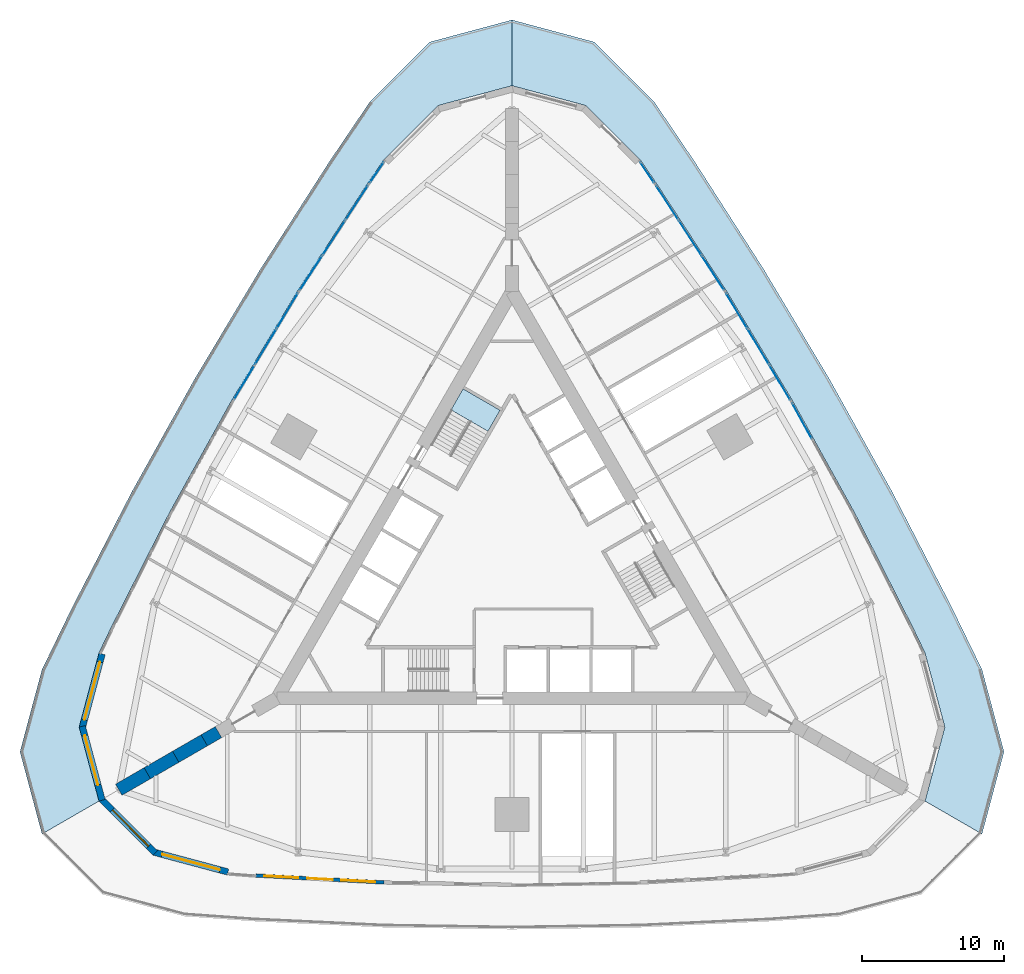
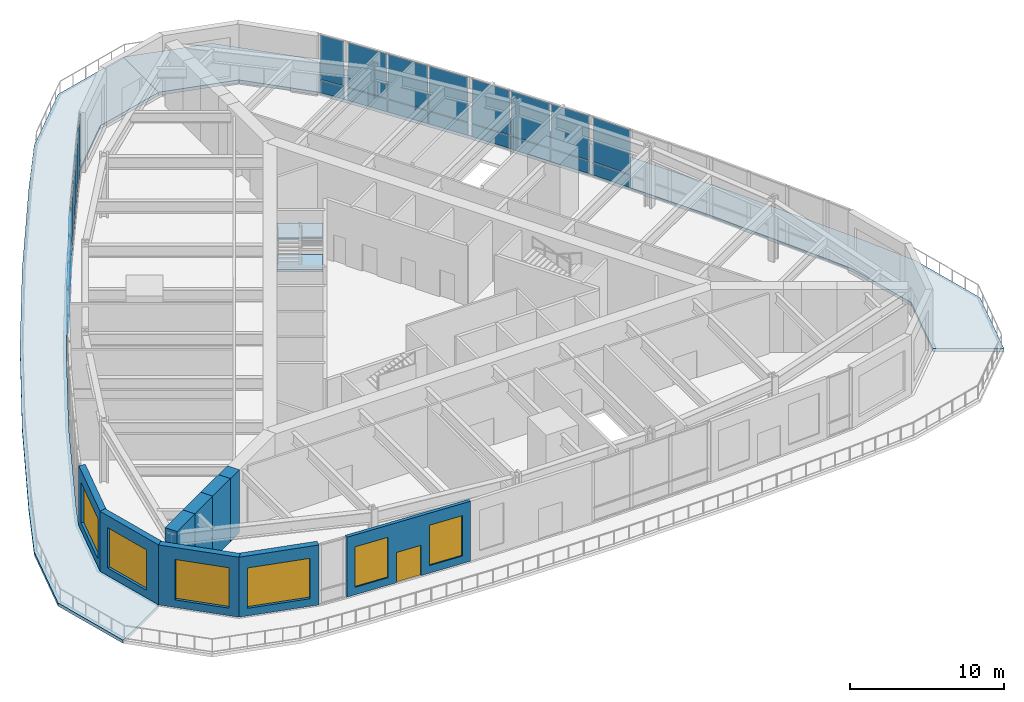
# One storey, part 7 of 13: 29 plates, 9 walls, 6 windows, 4 slabs, 1 door, 7 openings, 8 elements without a shape of their own.
"""IFC4 building model written with IfcOpenShell, lengths in metres."""

from ifc_helpers import new_model, si_unit, direction, frame, frame_2d, origin, origin_2d, place, context, subcontext, project, spatial, polyline, rectangle, outline, extrude, material, layer, layer_set, type_object, element, fill, aggregate, save


model = new_model("IFC4")

# Units and contexts
model_context = context("Model", 3, precision=1e-05, world=origin(), true_north=direction((0.0, 1.0)))
body_context = subcontext(model_context, "Body", "Model", "MODEL_VIEW")
ifc_project = project(units=[si_unit("LENGTHUNIT", "METRE"), si_unit("AREAUNIT", "SQUARE_METRE"), si_unit("VOLUMEUNIT", "CUBIC_METRE"), si_unit("PLANEANGLEUNIT", "RADIAN"), si_unit("MASSUNIT", "GRAM", prefix="KILO")], contexts=[model_context])

# Site, building, storey
site_placement = place(None, origin())
site = spatial("IfcSite", under=ifc_project, at=site_placement, CompositionType="ELEMENT")
building_placement = place(site_placement, origin())
building = spatial("IfcBuilding", under=site, at=building_placement, Name="Trikona Tower", CompositionType="ELEMENT")
storey_placement = place(building_placement, frame((0.0, 0.0, 17.5)))
storey = spatial("IfcBuildingStorey", under=building, at=storey_placement, Name="L03", CompositionType="ELEMENT", Elevation=17.5)

# Curtain wall, plates
ifc_material_1 = material(Name="Aluminium curtain wall system", Category="aluminium")
curtain_wall_type = type_object("IfcCurtainWallType", Name="Curtain wall PD", PredefinedType="NOTDEFINED", material=ifc_material_1)
curtain_wall_1_placement = place(storey_placement, origin())
curtain_wall_1 = element("IfcCurtainWall", 1, at=curtain_wall_1_placement, inside=storey, type_object=curtain_wall_type, Name="Curtain wall PD L03", PredefinedType="NOTDEFINED")
ifc_material_2 = material(Name="Clear insulating glass unit", Category="glass")
ifc_layer_1 = layer(ifc_material_2, 0.028076171875)
ifc_layer_set_1 = layer_set([ifc_layer_1], Name="Glass panel PD")
plate_type = type_object("IfcPlateType", Name="Glass panel PD", PredefinedType="CURTAIN_PANEL", material=ifc_layer_set_1)
plate_1_placement = place(storey_placement, frame((20.3623046875, 9.9541015625, 0.08984375), z_axis=(0.0, 0.0, 1.0), x_axis=(-0.484331734497, 0.874884432916, 0.0)))
plate_1 = element("IfcPlate", 2, at=plate_1_placement, type_object=plate_type, Name="CW-PD panel 3.1", PredefinedType="CURTAIN_PANEL", context=body_context, shape_type="SweptSolid", body=[
    extrude(rectangle(XDim=2.825439453125, YDim=0.028076171875, at=origin_2d()), origin(), (0.0, 0.0, 1.0), 0.965087890625),
])
plate_2_placement = place(storey_placement, frame((20.3623046875, 9.9541015625, 1.14501953125), z_axis=(0.0, 0.0, 1.0), x_axis=(-0.484331734497, 0.874884432916, 0.0)))
plate_2 = element("IfcPlate", 3, at=plate_2_placement, type_object=plate_type, Name="CW-PD panel 3.2", PredefinedType="CURTAIN_PANEL", context=body_context, shape_type="SweptSolid", body=[
    extrude(rectangle(XDim=2.825439453125, YDim=0.028076171875, at=origin_2d()), origin(), (0.0, 0.0, 1.0), 3.514892578125),
])
aggregate(curtain_wall_1, [plate_1, plate_2])

curtain_wall_2_placement = place(storey_placement, origin())
curtain_wall_2 = element("IfcCurtainWall", 4, at=curtain_wall_2_placement, inside=storey, type_object=curtain_wall_type, Name="Curtain wall PD L03", PredefinedType="NOTDEFINED")
plate_3_placement = place(storey_placement, frame((18.801513671875, 12.6572265625, 0.08984375), z_axis=(0.0, 0.0, 1.0), x_axis=(-0.51551536802, 0.856880333147, 0.0)))
plate_3 = element("IfcPlate", 5, at=plate_3_placement, type_object=plate_type, Name="CW-PD panel 1.1", PredefinedType="CURTAIN_PANEL", context=body_context, shape_type="SweptSolid", body=[
    extrude(rectangle(XDim=2.825439453125, YDim=0.028076171875, at=origin_2d()), origin(), (0.0, 0.0, 1.0), 0.965087890625),
])
plate_4_placement = place(storey_placement, frame((18.801513671875, 12.6572265625, 1.14501953125), z_axis=(0.0, 0.0, 1.0), x_axis=(-0.51551536802, 0.856880333147, 0.0)))
plate_4 = element("IfcPlate", 6, at=plate_4_placement, type_object=plate_type, Name="CW-PD panel 1.2", PredefinedType="CURTAIN_PANEL", context=body_context, shape_type="SweptSolid", body=[
    extrude(rectangle(XDim=2.825439453125, YDim=0.028076171875, at=origin_2d()), origin(), (0.0, 0.0, 1.0), 3.514892578125),
])
plate_5_placement = place(storey_placement, frame((17.286865234375, 15.1748046875, 0.08984375), z_axis=(0.0, 0.0, 1.0), x_axis=(-0.51551536802, 0.856880333147, 0.0)))
plate_5 = element("IfcPlate", 7, at=plate_5_placement, type_object=plate_type, Name="CW-PD panel 2.1", PredefinedType="CURTAIN_PANEL", context=body_context, shape_type="SweptSolid", body=[
    extrude(rectangle(XDim=2.870361328125, YDim=0.028076171875, at=origin_2d()), origin(), (0.0, 0.0, 1.0), 0.965087890625),
])
plate_6_placement = place(storey_placement, frame((17.286865234375, 15.1748046875, 1.14501953125), z_axis=(0.0, 0.0, 1.0), x_axis=(-0.51551536802, 0.856880333147, 0.0)))
plate_6 = element("IfcPlate", 8, at=plate_6_placement, type_object=plate_type, Name="CW-PD panel 2.2", PredefinedType="CURTAIN_PANEL", context=body_context, shape_type="SweptSolid", body=[
    extrude(rectangle(XDim=2.870361328125, YDim=0.028076171875, at=origin_2d()), origin(), (0.0, 0.0, 1.0), 3.514892578125),
])
plate_7_placement = place(storey_placement, frame((15.7724609375, 17.692138671875, 0.08984375), z_axis=(0.0, 0.0, 1.0), x_axis=(-0.51551536802, 0.856880333147, 0.0)))
plate_7 = element("IfcPlate", 9, at=plate_7_placement, type_object=plate_type, Name="CW-PD panel 3.1", PredefinedType="CURTAIN_PANEL", context=body_context, shape_type="SweptSolid", body=[
    extrude(rectangle(XDim=2.825439453125, YDim=0.028076171875, at=origin_2d()), origin(), (0.0, 0.0, 1.0), 0.965087890625),
])
plate_8_placement = place(storey_placement, frame((15.7724609375, 17.692138671875, 1.14501953125), z_axis=(0.0, 0.0, 1.0), x_axis=(-0.51551536802, 0.856880333147, 0.0)))
plate_8 = element("IfcPlate", 10, at=plate_8_placement, type_object=plate_type, Name="CW-PD panel 3.2", PredefinedType="CURTAIN_PANEL", context=body_context, shape_type="SweptSolid", body=[
    extrude(rectangle(XDim=2.825439453125, YDim=0.028076171875, at=origin_2d()), origin(), (0.0, 0.0, 1.0), 3.514892578125),
])
aggregate(curtain_wall_2, [plate_3, plate_4, plate_5, plate_6, plate_7, plate_8])

curtain_wall_3_placement = place(storey_placement, origin())
curtain_wall_3 = element("IfcCurtainWall", 11, at=curtain_wall_3_placement, inside=storey, type_object=curtain_wall_type, Name="Curtain wall PD L03", PredefinedType="NOTDEFINED")
plate_9_placement = place(storey_placement, frame((14.114501953125, 20.339111328125, 0.08984375), z_axis=(0.0, 0.0, 1.0), x_axis=(-0.545976875831, 0.83780024532, 0.0)))
plate_9 = element("IfcPlate", 12, at=plate_9_placement, type_object=plate_type, Name="CW-PD panel 1.1", PredefinedType="CURTAIN_PANEL", context=body_context, shape_type="SweptSolid", body=[
    extrude(rectangle(XDim=2.829345703125, YDim=0.028076171875, at=origin_2d()), origin(), (0.0, 0.0, 1.0), 0.965087890625),
])
plate_10_placement = place(storey_placement, frame((14.114501953125, 20.339111328125, 1.14501953125), z_axis=(0.0, 0.0, 1.0), x_axis=(-0.545976875831, 0.83780024532, 0.0)))
plate_10 = element("IfcPlate", 13, at=plate_10_placement, type_object=plate_type, Name="CW-PD panel 1.2", PredefinedType="CURTAIN_PANEL", context=body_context, shape_type="SweptSolid", body=[
    extrude(rectangle(XDim=2.829345703125, YDim=0.028076171875, at=origin_2d()), origin(), (0.0, 0.0, 1.0), 3.514892578125),
])
plate_11_placement = place(storey_placement, frame((12.50830078125, 22.803955078125, 0.08984375), z_axis=(0.0, 0.0, 1.0), x_axis=(-0.545976875831, 0.83780024532, 0.0)))
plate_11 = element("IfcPlate", 14, at=plate_11_placement, type_object=plate_type, Name="CW-PD panel 2.1", PredefinedType="CURTAIN_PANEL", context=body_context, shape_type="SweptSolid", body=[
    extrude(rectangle(XDim=2.874267578125, YDim=0.028076171875, at=origin_2d()), origin(), (0.0, 0.0, 1.0), 0.965087890625),
])
plate_12_placement = place(storey_placement, frame((12.50830078125, 22.803955078125, 1.14501953125), z_axis=(0.0, 0.0, 1.0), x_axis=(-0.545976875831, 0.83780024532, 0.0)))
plate_12 = element("IfcPlate", 15, at=plate_12_placement, type_object=plate_type, Name="CW-PD panel 2.2", PredefinedType="CURTAIN_PANEL", context=body_context, shape_type="SweptSolid", body=[
    extrude(rectangle(XDim=2.874267578125, YDim=0.028076171875, at=origin_2d()), origin(), (0.0, 0.0, 1.0), 3.514892578125),
])
plate_13_placement = place(storey_placement, frame((10.902099609375, 25.2685546875, 0.08984375), z_axis=(0.0, 0.0, 1.0), x_axis=(-0.545976875831, 0.83780024532, 0.0)))
plate_13 = element("IfcPlate", 16, at=plate_13_placement, type_object=plate_type, Name="CW-PD panel 3.1", PredefinedType="CURTAIN_PANEL", context=body_context, shape_type="SweptSolid", body=[
    extrude(rectangle(XDim=2.829345703125, YDim=0.028076171875, at=origin_2d()), origin(), (0.0, 0.0, 1.0), 0.965087890625),
])
plate_14_placement = place(storey_placement, frame((10.902099609375, 25.2685546875, 1.14501953125), z_axis=(0.0, 0.0, 1.0), x_axis=(-0.545976875831, 0.83780024532, 0.0)))
plate_14 = element("IfcPlate", 17, at=plate_14_placement, type_object=plate_type, Name="CW-PD panel 3.2", PredefinedType="CURTAIN_PANEL", context=body_context, shape_type="SweptSolid", body=[
    extrude(rectangle(XDim=2.829345703125, YDim=0.028076171875, at=origin_2d()), origin(), (0.0, 0.0, 1.0), 3.514892578125),
])
aggregate(curtain_wall_3, [plate_9, plate_10, plate_11, plate_12, plate_13, plate_14])

curtain_wall_4_placement = place(storey_placement, origin())
curtain_wall_4 = element("IfcCurtainWall", 18, at=curtain_wall_4_placement, inside=storey, type_object=curtain_wall_type, Name="Curtain wall PD L03", PredefinedType="NOTDEFINED")
plate_15_placement = place(storey_placement, frame((9.483154296875, 27.40576171875, 0.08984375), z_axis=(0.0, 0.0, 1.0), x_axis=(-0.564172430341, 0.825656992245, 0.0)))
plate_15 = element("IfcPlate", 19, at=plate_15_placement, type_object=plate_type, Name="CW-PD panel 1.1", PredefinedType="CURTAIN_PANEL", context=body_context, shape_type="SweptSolid", body=[
    extrude(rectangle(XDim=1.705810546875, YDim=0.028076171875, at=origin_2d()), origin(), (0.0, 0.0, 1.0), 0.965087890625),
])
plate_16_placement = place(storey_placement, frame((9.483154296875, 27.40576171875, 1.14501953125), z_axis=(0.0, 0.0, 1.0), x_axis=(-0.564172430341, 0.825656992245, 0.0)))
plate_16 = element("IfcPlate", 20, at=plate_16_placement, type_object=plate_type, Name="CW-PD panel 1.2", PredefinedType="CURTAIN_PANEL", context=body_context, shape_type="SweptSolid", body=[
    extrude(rectangle(XDim=1.705810546875, YDim=0.028076171875, at=origin_2d()), origin(), (0.0, 0.0, 1.0), 3.514892578125),
])
aggregate(curtain_wall_4, [plate_15, plate_16])

curtain_wall_5_placement = place(storey_placement, origin())
curtain_wall_5 = element("IfcCurtainWall", 21, at=curtain_wall_5_placement, inside=storey, type_object=curtain_wall_type, Name="Curtain wall PD L03", PredefinedType="NOTDEFINED")
plate_17_placement = place(storey_placement, frame((-9.483154296875, 27.40576171875, 0.08984375), z_axis=(0.0, 0.0, 1.0), x_axis=(-0.564172430341, -0.825656992245, 0.0)))
plate_17 = element("IfcPlate", 22, at=plate_17_placement, type_object=plate_type, Name="CW-PD panel 1.1", PredefinedType="CURTAIN_PANEL", context=body_context, shape_type="SweptSolid", body=[
    extrude(rectangle(XDim=1.705810546875, YDim=0.028076171875, at=origin_2d()), origin(), (0.0, 0.0, 1.0), 0.965087890625),
])
plate_18_placement = place(storey_placement, frame((-9.483154296875, 27.40576171875, 1.14501953125), z_axis=(0.0, 0.0, 1.0), x_axis=(-0.564172430341, -0.825656992245, 0.0)))
plate_18 = element("IfcPlate", 23, at=plate_18_placement, type_object=plate_type, Name="CW-PD panel 1.2", PredefinedType="CURTAIN_PANEL", context=body_context, shape_type="SweptSolid", body=[
    extrude(rectangle(XDim=1.705810546875, YDim=0.028076171875, at=origin_2d()), origin(), (0.0, 0.0, 1.0), 3.514892578125),
])
aggregate(curtain_wall_5, [plate_17, plate_18])

curtain_wall_6_placement = place(storey_placement, origin())
curtain_wall_6 = element("IfcCurtainWall", 24, at=curtain_wall_6_placement, inside=storey, type_object=curtain_wall_type, Name="Curtain wall PD L03", PredefinedType="NOTDEFINED")
plate_19_placement = place(storey_placement, frame((-10.902099609375, 25.2685546875, 0.08984375), z_axis=(0.0, 0.0, 1.0), x_axis=(-0.545976875831, -0.83780024532, 0.0)))
plate_19 = element("IfcPlate", 25, at=plate_19_placement, type_object=plate_type, Name="CW-PD panel 1.1", PredefinedType="CURTAIN_PANEL", context=body_context, shape_type="SweptSolid", body=[
    extrude(rectangle(XDim=2.829345703125, YDim=0.028076171875, at=origin_2d()), origin(), (0.0, 0.0, 1.0), 0.965087890625),
])
plate_20_placement = place(storey_placement, frame((-10.902099609375, 25.2685546875, 1.14501953125), z_axis=(0.0, 0.0, 1.0), x_axis=(-0.545976875831, -0.83780024532, 0.0)))
plate_20 = element("IfcPlate", 26, at=plate_20_placement, type_object=plate_type, Name="CW-PD panel 1.2", PredefinedType="CURTAIN_PANEL", context=body_context, shape_type="SweptSolid", body=[
    extrude(rectangle(XDim=2.829345703125, YDim=0.028076171875, at=origin_2d()), origin(), (0.0, 0.0, 1.0), 3.514892578125),
])
plate_21_placement = place(storey_placement, frame((-12.50830078125, 22.803955078125, 0.08984375), z_axis=(0.0, 0.0, 1.0), x_axis=(-0.545976875831, -0.83780024532, 0.0)))
plate_21 = element("IfcPlate", 27, at=plate_21_placement, type_object=plate_type, Name="CW-PD panel 2.1", PredefinedType="CURTAIN_PANEL", context=body_context, shape_type="SweptSolid", body=[
    extrude(rectangle(XDim=2.874267578125, YDim=0.028076171875, at=origin_2d()), origin(), (0.0, 0.0, 1.0), 0.965087890625),
])
plate_22_placement = place(storey_placement, frame((-12.50830078125, 22.803955078125, 1.14501953125), z_axis=(0.0, 0.0, 1.0), x_axis=(-0.545976875831, -0.83780024532, 0.0)))
plate_22 = element("IfcPlate", 28, at=plate_22_placement, type_object=plate_type, Name="CW-PD panel 2.2", PredefinedType="CURTAIN_PANEL", context=body_context, shape_type="SweptSolid", body=[
    extrude(rectangle(XDim=2.874267578125, YDim=0.028076171875, at=origin_2d()), origin(), (0.0, 0.0, 1.0), 3.514892578125),
])
plate_23_placement = place(storey_placement, frame((-14.114501953125, 20.339111328125, 0.08984375), z_axis=(0.0, 0.0, 1.0), x_axis=(-0.545976875831, -0.83780024532, 0.0)))
plate_23 = element("IfcPlate", 29, at=plate_23_placement, type_object=plate_type, Name="CW-PD panel 3.1", PredefinedType="CURTAIN_PANEL", context=body_context, shape_type="SweptSolid", body=[
    extrude(rectangle(XDim=2.829345703125, YDim=0.028076171875, at=origin_2d()), origin(), (0.0, 0.0, 1.0), 0.965087890625),
])
plate_24_placement = place(storey_placement, frame((-14.114501953125, 20.339111328125, 1.14501953125), z_axis=(0.0, 0.0, 1.0), x_axis=(-0.545976875831, -0.83780024532, 0.0)))
plate_24 = element("IfcPlate", 30, at=plate_24_placement, type_object=plate_type, Name="CW-PD panel 3.2", PredefinedType="CURTAIN_PANEL", context=body_context, shape_type="SweptSolid", body=[
    extrude(rectangle(XDim=2.829345703125, YDim=0.028076171875, at=origin_2d()), origin(), (0.0, 0.0, 1.0), 3.514892578125),
])
aggregate(curtain_wall_6, [plate_19, plate_20, plate_21, plate_22, plate_23, plate_24])

curtain_wall_7_placement = place(storey_placement, origin())
curtain_wall_7 = element("IfcCurtainWall", 31, at=curtain_wall_7_placement, inside=storey, type_object=curtain_wall_type, Name="Curtain wall PD L03", PredefinedType="NOTDEFINED")
plate_25_placement = place(storey_placement, frame((-15.7724609375, 17.692138671875, 0.08984375), z_axis=(0.0, 0.0, 1.0), x_axis=(-0.51551536802, -0.856880333147, 0.0)))
plate_25 = element("IfcPlate", 32, at=plate_25_placement, type_object=plate_type, Name="CW-PD panel 1.1", PredefinedType="CURTAIN_PANEL", context=body_context, shape_type="SweptSolid", body=[
    extrude(rectangle(XDim=2.825439453125, YDim=0.028076171875, at=origin_2d()), origin(), (0.0, 0.0, 1.0), 0.965087890625),
])
plate_26_placement = place(storey_placement, frame((-15.7724609375, 17.692138671875, 1.14501953125), z_axis=(0.0, 0.0, 1.0), x_axis=(-0.51551536802, -0.856880333147, 0.0)))
plate_26 = element("IfcPlate", 33, at=plate_26_placement, type_object=plate_type, Name="CW-PD panel 1.2", PredefinedType="CURTAIN_PANEL", context=body_context, shape_type="SweptSolid", body=[
    extrude(rectangle(XDim=2.825439453125, YDim=0.028076171875, at=origin_2d()), origin(), (0.0, 0.0, 1.0), 3.514892578125),
])
plate_27_placement = place(storey_placement, frame((-17.286865234375, 15.1748046875, 0.08984375), z_axis=(0.0, 0.0, 1.0), x_axis=(-0.51551536802, -0.856880333147, 0.0)))
plate_27 = element("IfcPlate", 34, at=plate_27_placement, type_object=plate_type, Name="CW-PD panel 2.1", PredefinedType="CURTAIN_PANEL", context=body_context, shape_type="SweptSolid", body=[
    extrude(rectangle(XDim=2.870361328125, YDim=0.028076171875, at=origin_2d()), origin(), (0.0, 0.0, 1.0), 0.965087890625),
])
plate_28_placement = place(storey_placement, frame((-17.286865234375, 15.1748046875, 1.14501953125), z_axis=(0.0, 0.0, 1.0), x_axis=(-0.51551536802, -0.856880333147, 0.0)))
plate_28 = element("IfcPlate", 35, at=plate_28_placement, type_object=plate_type, Name="CW-PD panel 2.2", PredefinedType="CURTAIN_PANEL", context=body_context, shape_type="SweptSolid", body=[
    extrude(rectangle(XDim=2.870361328125, YDim=0.028076171875, at=origin_2d()), origin(), (0.0, 0.0, 1.0), 3.514892578125),
])
plate_29_placement = place(storey_placement, frame((-18.801513671875, 12.6572265625, 1.14501953125), z_axis=(0.0, 0.0, 1.0), x_axis=(-0.51551536802, -0.856880333147, 0.0)))
plate_29 = element("IfcPlate", 36, at=plate_29_placement, type_object=plate_type, Name="CW-PD panel 3.2", PredefinedType="CURTAIN_PANEL", context=body_context, shape_type="SweptSolid", body=[
    extrude(rectangle(XDim=2.825439453125, YDim=0.028076171875, at=origin_2d()), origin(), (0.0, 0.0, 1.0), 3.514892578125),
])
aggregate(curtain_wall_7, [plate_25, plate_26, plate_27, plate_28, plate_29])

# Stair, slabs
ifc_material_3 = material(Name="Concrete f'c 5000 psi", Category="concrete")
stair_type = type_object("IfcStairType", Name="Core stair", PredefinedType="HALF_TURN_STAIR", material=ifc_material_3)
stair_placement = place(storey_placement, origin())
stair = element("IfcStair", 37, at=stair_placement, inside=storey, type_object=stair_type, Name="Stair C L03", PredefinedType="HALF_TURN_STAIR")
ifc_material_4 = material(Name="Concrete f'c 5000 psi", Category="concrete")
ifc_layer_2 = layer(ifc_material_4, 0.199951171875)
ifc_layer_set_2 = layer_set([ifc_layer_2], Name="Stair landing 200")
slab_type_1 = type_object("IfcSlabType", Name="Stair landing 200", PredefinedType="LANDING", material=ifc_layer_set_2)
slab_1_placement = place(storey_placement, frame((0.0, 0.0, 1.050048828125)))
slab_1 = element("IfcSlab", 38, at=slab_1_placement, type_object=slab_type_1, Name="ST-C landing 2", PredefinedType="LANDING", context=body_context, shape_type="SweptSolid", body=[
    extrude(outline(polyline([(-0.837158203125, 10.702392578125), (-1.688720703125, 9.2275390625), (-4.286865234375, 10.7275390625), (-3.435302734375, 12.202392578125), (-0.837158203125, 10.702392578125)])), origin(), (0.0, 0.0, 1.0), 0.199951171875),
])
slab_2_placement = place(storey_placement, frame((0.0, 0.0, 3.550048828125)))
slab_2 = element("IfcSlab", 39, at=slab_2_placement, type_object=slab_type_1, Name="ST-C landing 4", PredefinedType="LANDING", context=body_context, shape_type="SweptSolid", body=[
    extrude(outline(polyline([(-0.837158203125, 10.702392578125), (-1.688720703125, 9.2275390625), (-4.286865234375, 10.7275390625), (-3.435302734375, 12.202392578125), (-0.837158203125, 10.702392578125)])), origin(), (0.0, 0.0, 1.0), 0.199951171875),
])
aggregate(stair, [slab_1, slab_2])

# Slabs
ifc_material_5 = material(Name="Concrete f'c 5000 psi on composite steel deck", Category="concrete")
ifc_layer_3 = layer(ifc_material_5, 0.25)
ifc_layer_set_3 = layer_set([ifc_layer_3], Name="Terrace slab 250")
slab_type_2 = type_object("IfcSlabType", Name="Terrace slab 250", PredefinedType="ROOF", material=ifc_layer_set_3)
slab_3_placement = place(storey_placement, frame((0.0, 0.0, -0.25)))
element("IfcSlab", 40, at=slab_3_placement, inside=storey, type_object=slab_type_2, Name="Terrace L03 north-east part 2", PredefinedType="ROOF", context=body_context, shape_type="SweptSolid", body=[
    extrude(outline(polyline([(5.7734375, 36.55810546875), (0.0, 38.10498046875), (0.0, 33.4873046875), (5.197021484375, 32.0947265625), (9.000732421875, 28.290771484375), (10.13232421875, 26.634521484375), (15.05322265625, 19.08349609375), (19.693603515625, 11.3701171875), (24.053466796875, 3.494873046875), (28.132568359375, -4.542236328125), (29.0009765625, -6.3505859375), (30.393310546875, -11.547119140625), (29.0009765625, -16.74365234375), (33.0, -19.052490234375), (34.547119140625, -13.279052734375), (33.0, -7.505615234375), (30.808837890625, -2.997314453125), (26.6748046875, 5.00830078125), (22.296630859375, 12.873046875), (17.6748046875, 20.5966796875), (12.808837890625, 28.1796875), (10.0, 32.33154296875), (5.7734375, 36.55810546875)])), origin(), (0.0, 0.0, 1.0), 0.25),
])
slab_4_placement = place(storey_placement, frame((0.0, 0.0, -0.25)))
element("IfcSlab", 41, at=slab_4_placement, inside=storey, type_object=slab_type_2, Name="Terrace L03 north-west part 3", PredefinedType="ROOF", context=body_context, shape_type="SweptSolid", body=[
    extrude(outline(polyline([(-34.547119140625, -13.279052734375), (-33.0, -19.052490234375), (-29.0009765625, -16.74365234375), (-30.393310546875, -11.546630859375), (-29.0009765625, -6.3505859375), (-28.132568359375, -4.542236328125), (-24.053466796875, 3.494873046875), (-19.693603515625, 11.3701171875), (-15.053466796875, 19.08349609375), (-10.13232421875, 26.634521484375), (-9.000732421875, 28.290771484375), (-5.19677734375, 32.094970703125), (0.0, 33.4873046875), (0.0, 38.10498046875), (-5.7734375, 36.55810546875), (-10.0, 32.33154296875), (-12.808837890625, 28.1796875), (-17.6748046875, 20.5966796875), (-22.296630859375, 12.873046875), (-26.6748046875, 5.00830078125), (-30.808837890625, -2.997314453125), (-33.0, -7.505615234375), (-34.547119140625, -13.279052734375)])), origin(), (0.0, 0.0, 1.0), 0.25),
])

# Wall, opening, window
ifc_material_6 = material(Name="Brick-faced precast concrete", Category="masonry")
ifc_layer_4 = layer(ifc_material_6, 0.449951171875)
ifc_layer_set_4 = layer_set([ifc_layer_4], Name="Brick-faced corner wall 450")
wall_type_1 = type_object("IfcWallType", Name="Brick-faced corner wall 450", PredefinedType="SOLIDWALL", material=ifc_layer_set_4)
wall_1_placement = place(storey_placement, frame((-28.78271484375, -6.4091796875, 0.0), z_axis=(0.0, 0.0, 1.0), x_axis=(-0.258829095032, -0.965923133363, 0.0)))
wall_1 = element("IfcWall", 42, at=wall_1_placement, inside=storey, type_object=wall_type_1, Name="External wall L03-26", PredefinedType="SOLIDWALL", context=body_context, shape_type="SweptSolid", body=[
    extrude(rectangle(XDim=5.37939453125, YDim=0.449951171875, at=frame_2d((2.689697265625, 0.0))), origin(), (0.0, 0.0, 1.0), 4.75),
])
opening_1_placement = place(wall_1_placement, frame((0.589599609375, 0.0, 0.60009765625)))
opening_1 = element("IfcOpeningElement", 43, at=opening_1_placement, cuts=wall_1, Name="Opening W4232", PredefinedType="OPENING", context=body_context, shape_type="SweptSolid", body=[
    extrude(rectangle(XDim=4.199951171875, YDim=3.199951171875, at=frame_2d((2.10009765625, 1.60009765625))), frame((0.0, 0.23486328125, 0.0), z_axis=(0.0, -1.0, 0.0), x_axis=(1.0, 0.0, 0.0)), (0.0, 0.0, 1.0), 0.469970703125),
])
ifc_material_7 = material(Name="Aluminium-framed double glazing", Category="aluminium")
window_type_1 = type_object("IfcWindowType", Name="Window 4200x3200", PartitioningType="SINGLE_PANEL", PredefinedType="WINDOW", material=ifc_material_7)
window_1_placement = place(opening_1_placement, origin())
window_1 = element("IfcWindow", 44, at=window_1_placement, inside=storey, type_object=window_type_1, Name="Window L03-MST", OverallHeight=3.199951171875, OverallWidth=4.199951171875, PartitioningType="SINGLE_PANEL", PredefinedType="WINDOW", context=body_context, shape_type="SweptSolid", body=[
    extrude(rectangle(XDim=4.199951171875, YDim=3.199951171875, at=frame_2d((2.10009765625, 1.60009765625))), frame((0.0, 0.030029296875, 0.0), z_axis=(0.0, -1.0, 0.0), x_axis=(1.0, 0.0, 0.0)), (0.0, 0.0, 1.0), 0.06005859375),
])
fill(opening_1, window_1)

wall_2_placement = place(storey_placement, frame((-30.175048828125, -11.48876953125, 0.0), z_axis=(0.0, 0.0, 1.0), x_axis=(0.258817748921, -0.965926173599, 0.0)))
wall_2 = element("IfcWall", 45, at=wall_2_placement, inside=storey, type_object=wall_type_1, Name="External wall L03-27", PredefinedType="SOLIDWALL", context=body_context, shape_type="SweptSolid", body=[
    extrude(rectangle(XDim=5.379638671875, YDim=0.449951171875, at=frame_2d((2.68994140625, 0.0))), origin(), (0.0, 0.0, 1.0), 4.75),
])
opening_2_placement = place(wall_2_placement, frame((0.67138671875, 0.0, 0.60009765625)))
opening_2 = element("IfcOpeningElement", 46, at=opening_2_placement, cuts=wall_2, Name="Opening W3632", PredefinedType="OPENING", context=body_context, shape_type="SweptSolid", body=[
    extrude(rectangle(XDim=3.60009765625, YDim=3.199951171875, at=frame_2d((1.800048828125, 1.60009765625))), frame((0.0, 0.23486328125, 0.0), z_axis=(0.0, -1.0, 0.0), x_axis=(1.0, 0.0, 0.0)), (0.0, 0.0, 1.0), 0.469970703125),
])
ifc_material_8 = material(Name="Aluminium-framed double glazing", Category="aluminium")
window_type_2 = type_object("IfcWindowType", Name="Window 3600x3200", PartitioningType="SINGLE_PANEL", PredefinedType="WINDOW", material=ifc_material_8)
window_2_placement = place(opening_2_placement, origin())
window_2 = element("IfcWindow", 47, at=window_2_placement, inside=storey, type_object=window_type_2, Name="Window L03-MST", OverallHeight=3.199951171875, OverallWidth=3.60009765625, PartitioningType="SINGLE_PANEL", PredefinedType="WINDOW", context=body_context, shape_type="SweptSolid", body=[
    extrude(rectangle(XDim=3.60009765625, YDim=3.199951171875, at=frame_2d((1.800048828125, 1.60009765625))), frame((0.0, 0.030029296875, 0.0), z_axis=(0.0, -1.0, 0.0), x_axis=(1.0, 0.0, 0.0)), (0.0, 0.0, 1.0), 0.06005859375),
])
fill(opening_2, window_2)

wall_3_placement = place(storey_placement, frame((-28.8408203125, -16.583984375, 0.0), z_axis=(0.0, 0.0, 1.0), x_axis=(0.707084088779, -0.707129472866, 0.0)))
wall_3 = element("IfcWall", 48, at=wall_3_placement, inside=storey, type_object=wall_type_1, Name="External wall L03-28", PredefinedType="SOLIDWALL", context=body_context, shape_type="SweptSolid", body=[
    extrude(rectangle(XDim=5.37939453125, YDim=0.449951171875, at=frame_2d((2.689697265625, 0.0))), origin(), (0.0, 0.0, 1.0), 4.75),
])
opening_3_placement = place(wall_3_placement, frame((1.10791015625, 0.0, 0.60009765625)))
opening_3 = element("IfcOpeningElement", 49, at=opening_3_placement, cuts=wall_3, Name="Opening W3632", PredefinedType="OPENING", context=body_context, shape_type="SweptSolid", body=[
    extrude(rectangle(XDim=3.60009765625, YDim=3.199951171875, at=frame_2d((1.800048828125, 1.60009765625))), frame((0.0, 0.23486328125, 0.0), z_axis=(0.0, -1.0, 0.0), x_axis=(1.0, 0.0, 0.0)), (0.0, 0.0, 1.0), 0.469970703125),
])
window_3_placement = place(opening_3_placement, origin())
window_3 = element("IfcWindow", 50, at=window_3_placement, inside=storey, type_object=window_type_2, Name="Window L03-MR1", OverallHeight=3.199951171875, OverallWidth=3.60009765625, PartitioningType="SINGLE_PANEL", PredefinedType="WINDOW", context=body_context, shape_type="SweptSolid", body=[
    extrude(rectangle(XDim=3.60009765625, YDim=3.199951171875, at=frame_2d((1.800048828125, 1.60009765625))), frame((0.0, 0.030029296875, 0.0), z_axis=(0.0, -1.0, 0.0), x_axis=(1.0, 0.0, 0.0)), (0.0, 0.0, 1.0), 0.06005859375),
])
fill(opening_3, window_3)

wall_4_placement = place(storey_placement, frame((-25.137939453125, -20.32958984375, 0.0), z_axis=(0.0, 0.0, 1.0), x_axis=(0.965923133363, -0.258829095032, 0.0)))
wall_4 = element("IfcWall", 51, at=wall_4_placement, inside=storey, type_object=wall_type_1, Name="External wall L03-29", PredefinedType="SOLIDWALL", context=body_context, shape_type="SweptSolid", body=[
    extrude(rectangle(XDim=5.37939453125, YDim=0.449951171875, at=frame_2d((2.689697265625, 0.0))), origin(), (0.0, 0.0, 1.0), 4.75),
])
opening_4_placement = place(wall_4_placement, frame((0.589599609375, 0.0, 0.60009765625)))
opening_4 = element("IfcOpeningElement", 52, at=opening_4_placement, cuts=wall_4, Name="Opening W4232", PredefinedType="OPENING", context=body_context, shape_type="SweptSolid", body=[
    extrude(rectangle(XDim=4.199951171875, YDim=3.199951171875, at=frame_2d((2.10009765625, 1.60009765625))), frame((0.0, 0.23486328125, 0.0), z_axis=(0.0, -1.0, 0.0), x_axis=(1.0, 0.0, 0.0)), (0.0, 0.0, 1.0), 0.469970703125),
])
window_4_placement = place(opening_4_placement, origin())
window_4 = element("IfcWindow", 53, at=window_4_placement, inside=storey, type_object=window_type_1, Name="Window L03-MR1", OverallHeight=3.199951171875, OverallWidth=4.199951171875, PartitioningType="SINGLE_PANEL", PredefinedType="WINDOW", context=body_context, shape_type="SweptSolid", body=[
    extrude(rectangle(XDim=4.199951171875, YDim=3.199951171875, at=frame_2d((2.10009765625, 1.60009765625))), frame((0.0, 0.030029296875, 0.0), z_axis=(0.0, -1.0, 0.0), x_axis=(1.0, 0.0, 0.0)), (0.0, 0.0, 1.0), 0.06005859375),
])
fill(opening_4, window_4)

# Walls
ifc_material_9 = material(Name="Concrete f'c 10000 psi", Category="concrete")
ifc_layer_5 = layer(ifc_material_9, 0.89990234375)
ifc_layer_set_5 = layer_set([ifc_layer_5], Name="Buttress wall 900")
wall_type_2 = type_object("IfcWallType", Name="Buttress wall 900", PredefinedType="SHEAR", material=ifc_layer_set_5)
wall_5_placement = place(storey_placement, frame((-20.6103515625, -11.8994140625, 0.0), z_axis=(0.0, 0.0, 1.0), x_axis=(-0.866009537788, -0.500027479704, 0.0)))
element("IfcWall", 54, at=wall_5_placement, inside=storey, type_object=wall_type_2, Name="Buttress wall 3 part 2", PredefinedType="SHEAR", context=body_context, shape_type="SweptSolid", body=[
    extrude(rectangle(XDim=1.15478515625, YDim=0.89990234375, at=frame_2d((0.577392578125, 0.0))), origin(), (0.0, 0.0, 1.0), 5.0),
])
for number, where, z_axis, x_axis, name in (
    (55, (-21.6103515625, -12.476806640625, 0.0), (0.0, 0.0, 1.0), (-0.866055313784, -0.499948190782, 0.0), "Buttress wall 3 part 3"),
    (56, (-23.6103515625, -13.63134765625, 0.0), (0.0, 0.0, 1.0), (-0.866009537788, -0.500027479704, 0.0), "Buttress wall 3 part 4"),
    (57, (-25.6103515625, -14.7861328125, 0.0), (0.0, 0.0, 1.0), (-0.866009537788, -0.500027479704, 0.0), "Buttress wall 3 part 5"),
):
    element("IfcWall", number, at=place(storey_placement, frame(where, z_axis=z_axis, x_axis=x_axis)), inside=storey, type_object=wall_type_2, Name=name, PredefinedType="SHEAR", context=body_context, shape_type="SweptSolid", body=[
        extrude(rectangle(XDim=2.309326171875, YDim=0.89990234375, at=frame_2d((1.15478515625, 0.0))), origin(), (0.0, 0.0, 1.0), 5.0),
    ])

# Wall, openings, door, windows
ifc_material_10 = material(Name="Insulated precast concrete spandrel panel", Category="concrete")
ifc_layer_6 = layer(ifc_material_10, 0.25)
ifc_layer_set_6 = layer_set([ifc_layer_6], Name="Inner skin wall 250")
wall_type_3 = type_object("IfcWallType", Name="Inner skin wall 250", PredefinedType="STANDARD", material=ifc_layer_set_6)
wall_6_placement = place(storey_placement, frame((-17.993408203125, -21.966552734375, 0.0), z_axis=(0.0, 0.0, 1.0), x_axis=(0.998546137511, -0.053903722158, 0.0)))
wall_6 = element("IfcWall", 58, at=wall_6_placement, inside=storey, type_object=wall_type_3, Name="External wall L03-01", PredefinedType="STANDARD", context=body_context, shape_type="SweptSolid", body=[
    extrude(rectangle(XDim=9.01318359375, YDim=0.25, at=frame_2d((4.506591796875, 0.0))), origin(), (0.0, 0.0, 1.0), 4.75),
])
opening_5_placement = place(wall_6_placement, frame((3.606689453125, 0.0, 0.0)))
opening_5 = element("IfcOpeningElement", 59, at=opening_5_placement, cuts=wall_6, Name="Opening D8", PredefinedType="OPENING", context=body_context, shape_type="SweptSolid", body=[
    extrude(rectangle(XDim=1.800048828125, YDim=2.39990234375, at=frame_2d((0.89990234375, 1.199951171875))), frame((0.0, 0.135009765625, 0.0), z_axis=(0.0, -1.0, 0.0), x_axis=(1.0, 0.0, 0.0)), (0.0, 0.0, 1.0), 0.27001953125),
])
opening_6_placement = place(wall_6_placement, frame((0.603271484375, 0.0, 0.60009765625)))
opening_6 = element("IfcOpeningElement", 60, at=opening_6_placement, cuts=wall_6, Name="Opening W2432", PredefinedType="OPENING", context=body_context, shape_type="SweptSolid", body=[
    extrude(rectangle(XDim=2.39990234375, YDim=3.199951171875, at=frame_2d((1.199951171875, 1.60009765625))), frame((0.0, 0.135009765625, 0.0), z_axis=(0.0, -1.0, 0.0), x_axis=(1.0, 0.0, 0.0)), (0.0, 0.0, 1.0), 0.27001953125),
])
opening_7_placement = place(wall_6_placement, frame((6.009765625, 0.0, 0.60009765625)))
opening_7 = element("IfcOpeningElement", 61, at=opening_7_placement, cuts=wall_6, Name="Opening W2432", PredefinedType="OPENING", context=body_context, shape_type="SweptSolid", body=[
    extrude(rectangle(XDim=2.39990234375, YDim=3.199951171875, at=frame_2d((1.199951171875, 1.60009765625))), frame((0.0, 0.135009765625, 0.0), z_axis=(0.0, -1.0, 0.0), x_axis=(1.0, 0.0, 0.0)), (0.0, 0.0, 1.0), 0.27001953125),
])
ifc_material_11 = material(Name="Aluminium-framed glazed door", Category="aluminium")
door_type = type_object("IfcDoorType", Name="Terrace door pair 1800x2400", OperationType="DOUBLE_DOOR_SINGLE_SWING", PredefinedType="DOOR", material=ifc_material_11)
door_placement = place(opening_5_placement, origin())
door = element("IfcDoor", 62, at=door_placement, inside=storey, type_object=door_type, Name="Terrace door Meeting room 1", OperationType="DOUBLE_DOOR_SINGLE_SWING", OverallHeight=2.39990234375, OverallWidth=1.800048828125, PredefinedType="DOOR", context=body_context, shape_type="SweptSolid", body=[
    extrude(rectangle(XDim=1.800048828125, YDim=2.39990234375, at=frame_2d((0.89990234375, 1.199951171875))), frame((0.0, 0.02490234375, 0.0), z_axis=(0.0, -1.0, 0.0), x_axis=(1.0, 0.0, 0.0)), (0.0, 0.0, 1.0), 0.050048828125),
])
fill(opening_5, door)
ifc_material_12 = material(Name="Aluminium-framed double glazing", Category="aluminium")
window_type_3 = type_object("IfcWindowType", Name="Window 2400x3200", PartitioningType="SINGLE_PANEL", PredefinedType="WINDOW", material=ifc_material_12)
window_5_placement = place(opening_6_placement, origin())
window_5 = element("IfcWindow", 63, at=window_5_placement, inside=storey, type_object=window_type_3, Name="Window L03-MR1", OverallHeight=3.199951171875, OverallWidth=2.39990234375, PartitioningType="SINGLE_PANEL", PredefinedType="WINDOW", context=body_context, shape_type="SweptSolid", body=[
    extrude(rectangle(XDim=2.39990234375, YDim=3.199951171875, at=frame_2d((1.199951171875, 1.60009765625))), frame((0.0, 0.030029296875, 0.0), z_axis=(0.0, -1.0, 0.0), x_axis=(1.0, 0.0, 0.0)), (0.0, 0.0, 1.0), 0.06005859375),
])
fill(opening_6, window_5)
window_6_placement = place(opening_7_placement, origin())
window_6 = element("IfcWindow", 64, at=window_6_placement, inside=storey, type_object=window_type_3, Name="Window L03-MR1", OverallHeight=3.199951171875, OverallWidth=2.39990234375, PartitioningType="SINGLE_PANEL", PredefinedType="WINDOW", context=body_context, shape_type="SweptSolid", body=[
    extrude(rectangle(XDim=2.39990234375, YDim=3.199951171875, at=frame_2d((1.199951171875, 1.60009765625))), frame((0.0, 0.030029296875, 0.0), z_axis=(0.0, -1.0, 0.0), x_axis=(1.0, 0.0, 0.0)), (0.0, 0.0, 1.0), 0.06005859375),
])
fill(opening_7, window_6)

save(model, "model.ifc")
